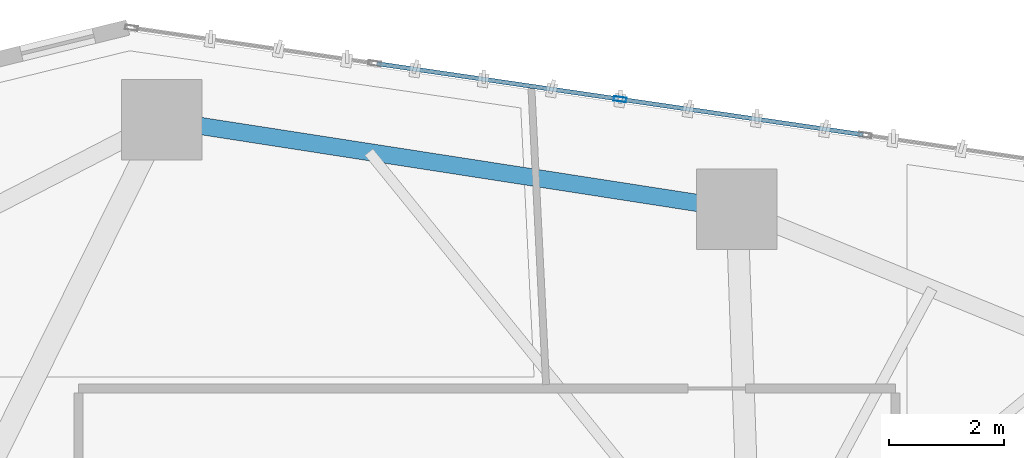
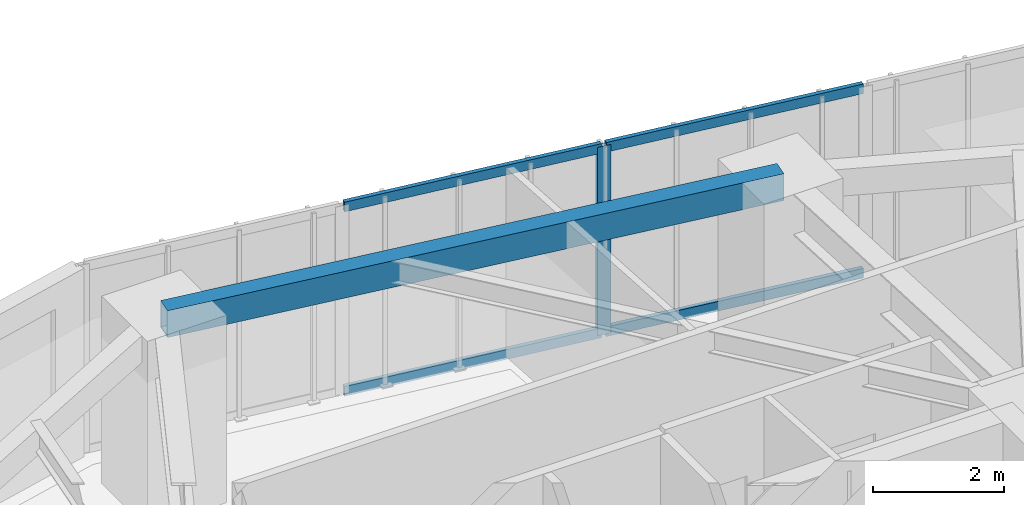
# One storey, part 15 of 22: 5 members, 1 beam, 1 element without a shape of its own.
"""IFC4 building model written with IfcOpenShell, lengths in metres."""

from ifc_helpers import new_model, si_unit, direction, frame, origin, origin_2d, place, context, subcontext, project, spatial, hollow_rectangle, extrude, source, transform, mapped, material, layer, layer_set, material_profile, profile_set, type_object, type_shapes, element, aggregate, save


model = new_model("IFC4")

# Units and contexts
model_context = context("Model", 3, precision=1e-05, world=origin(), true_north=direction((0.0, 1.0)))
body_context = subcontext(model_context, "Body", "Model", "MODEL_VIEW")
ifc_project = project(units=[si_unit("LENGTHUNIT", "METRE"), si_unit("AREAUNIT", "SQUARE_METRE"), si_unit("VOLUMEUNIT", "CUBIC_METRE"), si_unit("PLANEANGLEUNIT", "RADIAN"), si_unit("MASSUNIT", "GRAM", prefix="KILO")], contexts=[model_context])

# Site, building, storey
site_placement = place(None, origin())
site = spatial("IfcSite", under=ifc_project, at=site_placement, CompositionType="ELEMENT")
building_placement = place(site_placement, origin())
building = spatial("IfcBuilding", under=site, at=building_placement, Name="Talar Marvaseh", CompositionType="ELEMENT")
storey_placement = place(building_placement, frame((0.0, 0.0, 65.800048828125)))
storey = spatial("IfcBuildingStorey", under=building, at=storey_placement, Name="L16", CompositionType="ELEMENT", Elevation=65.800048828125)

# Beam
ifc_material_1 = material(Name="Steel S355", Category="steel")
ifc_material_profile_1 = material_profile(ifc_material_1, hollow_rectangle(XDim=0.300048828125, YDim=0.5, WallThickness=0.02001953125, at=origin_2d()), Name="RHS500x300x20")
ifc_profile_set_1 = profile_set([ifc_material_profile_1], Name="Steel S355")
beam_type = type_object("IfcBeamType", Name="Zone 1 Perimeter Spandrel Beam RHS500x300x20", PredefinedType="SPANDREL", material=ifc_profile_set_1)
beam_placement = place(storey_placement, frame((23.047119140625, 45.6669921875, 3.27001953125), z_axis=(0.988210751461, -0.153099675693, 0.0), x_axis=(0.153099675693, 0.988210751461, 0.0)))
element("IfcBeam", 1, at=beam_placement, inside=storey, type_object=beam_type, Name="L16 Zone 1 Perimeter Spandrel Beam RHS500x300x20", PredefinedType="SPANDREL", context=body_context, shape_type="SweptSolid", body=[
    extrude(hollow_rectangle(XDim=0.300048828125, YDim=0.5, WallThickness=0.02001953125, at=origin_2d()), origin(), (0.0, 0.0, 1.0), 10.1181640625),
])

# Curtain wall, members
ifc_material_2 = material(Name="Architectural Aluminium", Category="aluminium")
ifc_layer = layer(ifc_material_2, 0.219970703125)
ifc_layer_set = layer_set([ifc_layer], Name="Architectural Aluminium")
curtain_wall_type = type_object("IfcCurtainWallType", Name="Unitised Low-E Museum Curtain Wall Z1", PredefinedType="NOTDEFINED", material=ifc_layer_set)
curtain_wall_placement = place(storey_placement, origin())
curtain_wall = element("IfcCurtainWall", 2, at=curtain_wall_placement, inside=storey, type_object=curtain_wall_type, Name="L16 Unitised Low-E Museum Curtain Wall Z1", PredefinedType="NOTDEFINED")
ifc_material_profile_2 = material_profile(ifc_material_2, hollow_rectangle(XDim=0.080078125, YDim=0.219970703125, WallThickness=0.0048828125, at=origin_2d()), Name="RHS220x80x5")
ifc_profile_set_2 = profile_set([ifc_material_profile_2], Name="Architectural Aluminium")
member_type_1 = type_object("IfcMemberType", Name="Unitised Curtain Wall Heavy Mullion RHS220x80x5", PredefinedType="MULLION", material=ifc_profile_set_2)
shared_shape_1 = source(origin(), body_context, "Body", "SweptSolid", [
    extrude(hollow_rectangle(XDim=0.080078125, YDim=0.219970703125, WallThickness=0.0048828125, at=origin_2d()), origin(), (0.0, 0.0, 1.0), 3.52001953125),
])
type_shapes(member_type_1, [shared_shape_1])
member_1_placement = place(storey_placement, frame((31.012451171875, 46.02783203125, 0.0), z_axis=(0.0, 0.0, 1.0), x_axis=(0.144664191981, 0.989480809091, 0.0)))
member_1 = element("IfcMember", 3, at=member_1_placement, type_object=member_type_1, Name="CW-Z1 mullion 3", PredefinedType="MULLION", context=body_context, shape_type="MappedRepresentation", body=[
    mapped(shared_shape_1, transform((0.0, 0.0, 0.0), x_axis=(1.0, 0.0, 0.0), y_axis=(0.0, 1.0, 0.0), z_axis=(0.0, 0.0, 1.0), scale=1.0)),
])
ifc_material_profile_3 = material_profile(ifc_material_2, hollow_rectangle(XDim=0.074951171875, YDim=0.179931640625, WallThickness=0.0048828125, at=origin_2d()), Name="RHS180x75x5")
ifc_profile_set_3 = profile_set([ifc_material_profile_3], Name="Architectural Aluminium")
member_type_2 = type_object("IfcMemberType", Name="Unitised Curtain Wall Transom RHS180x75x5", PredefinedType="USERDEFINED", material=ifc_profile_set_3)
shared_shape_2 = source(origin(), body_context, "Body", "SweptSolid", [
    extrude(hollow_rectangle(XDim=0.074951171875, YDim=0.179931640625, WallThickness=0.0048828125, at=origin_2d()), origin(), (0.0, 0.0, 1.0), 4.231689453125),
])
type_shapes(member_type_2, [shared_shape_2])
member_2_placement = place(storey_placement, frame((26.785400390625, 46.64599609375, 0.037353515625), z_axis=(0.989476783338, -0.144691724833, 0.0), x_axis=(0.144691724833, 0.989476783338, 0.0)))
member_2 = element("IfcMember", 4, at=member_2_placement, type_object=member_type_2, Name="CW-Z1 transom 2.1", ObjectType="TRANSOM", PredefinedType="USERDEFINED", context=body_context, shape_type="MappedRepresentation", body=[
    mapped(shared_shape_2, transform((0.0, 0.0, 0.0), x_axis=(1.0, 0.0, 0.0), y_axis=(0.0, 1.0, 0.0), z_axis=(0.0, 0.0, 1.0), scale=1.0)),
])
member_3_placement = place(storey_placement, frame((26.785400390625, 46.64599609375, 3.482421875), z_axis=(0.989476783338, -0.144691724833, 0.0), x_axis=(0.144691724833, 0.989476783338, 0.0)))
member_3 = element("IfcMember", 5, at=member_3_placement, type_object=member_type_2, Name="CW-Z1 transom 2.2", ObjectType="TRANSOM", PredefinedType="USERDEFINED", context=body_context, shape_type="MappedRepresentation", body=[
    mapped(shared_shape_2, transform((0.0, 0.0, 0.0), x_axis=(1.0, 0.0, 0.0), y_axis=(0.0, 1.0, 0.0), z_axis=(0.0, 0.0, 1.0), scale=1.0)),
])
member_4_placement = place(storey_placement, frame((31.052001953125, 46.022216796875, 0.037353515625), z_axis=(0.989476783338, -0.144691724833, 0.0), x_axis=(0.144691724833, 0.989476783338, 0.0)))
member_4 = element("IfcMember", 6, at=member_4_placement, type_object=member_type_2, Name="CW-Z1 transom 3.1", ObjectType="TRANSOM", PredefinedType="USERDEFINED", context=body_context, shape_type="MappedRepresentation", body=[
    mapped(shared_shape_2, transform((0.0, 0.0, 0.0), x_axis=(1.0, 0.0, 0.0), y_axis=(0.0, 1.0, 0.0), z_axis=(0.0, 0.0, 1.0), scale=1.0)),
])
member_5_placement = place(storey_placement, frame((31.052001953125, 46.022216796875, 3.482421875), z_axis=(0.989476783338, -0.144691724833, 0.0), x_axis=(0.144691724833, 0.989476783338, 0.0)))
member_5 = element("IfcMember", 7, at=member_5_placement, type_object=member_type_2, Name="CW-Z1 transom 3.2", ObjectType="TRANSOM", PredefinedType="USERDEFINED", context=body_context, shape_type="MappedRepresentation", body=[
    mapped(shared_shape_2, transform((0.0, 0.0, 0.0), x_axis=(1.0, 0.0, 0.0), y_axis=(0.0, 1.0, 0.0), z_axis=(0.0, 0.0, 1.0), scale=1.0)),
])
aggregate(curtain_wall, [member_1, member_2, member_3, member_4, member_5])

save(model, "model.ifc")
